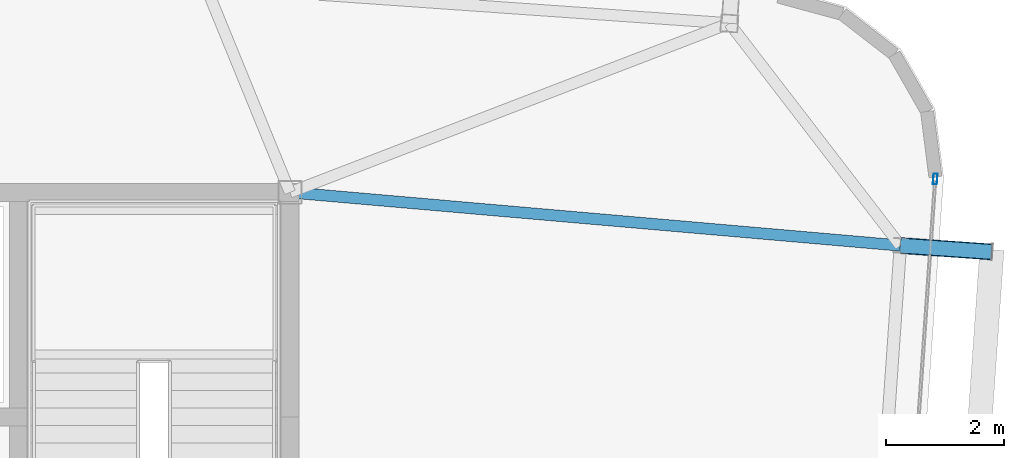
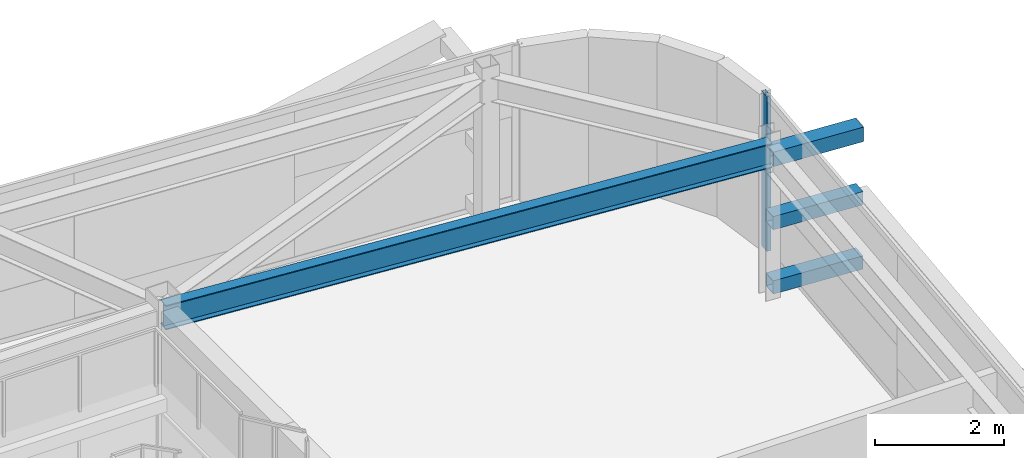
# One storey, part 18 of 39: 4 members, 1 beam, 1 element without a shape of its own.
"""IFC4 building model written with IfcOpenShell, lengths in metres."""

from ifc_helpers import new_model, si_unit, direction, frame, origin, origin_2d, place, context, subcontext, project, spatial, hollow_rectangle, i_section, extrude, source, transform, mapped, material, layer, layer_set, material_profile, profile_set, type_object, element, aggregate, save


model = new_model("IFC4")

# Units and contexts
model_context = context("Model", 3, precision=1e-05, world=origin(), true_north=direction((0.0, 1.0)))
body_context = subcontext(model_context, "Body", "Model", "MODEL_VIEW")
ifc_project = project(units=[si_unit("LENGTHUNIT", "METRE"), si_unit("AREAUNIT", "SQUARE_METRE"), si_unit("VOLUMEUNIT", "CUBIC_METRE"), si_unit("PLANEANGLEUNIT", "RADIAN"), si_unit("MASSUNIT", "GRAM", prefix="KILO")], contexts=[model_context])

# Site, building, storey
site_placement = place(None, origin())
site = spatial("IfcSite", under=ifc_project, at=site_placement, CompositionType="ELEMENT")
building_placement = place(site_placement, origin())
building = spatial("IfcBuilding", under=site, at=building_placement, Name="Taldren Reach Tower", CompositionType="ELEMENT")
storey_placement = place(building_placement, frame((0.0, 0.0, 158.199951171875)))
storey = spatial("IfcBuildingStorey", under=building, at=storey_placement, Name="L48", CompositionType="ELEMENT", Elevation=158.199951171875)

# Members
ifc_material_1 = material(Name="Steel Gr 450 (C450L0)", Category="steel")
ifc_material_profile_1 = material_profile(ifc_material_1, hollow_rectangle(XDim=0.27490234375, YDim=0.27490234375, WallThickness=0.00927734375, at=origin_2d()), Name="275x275x9.3SHS")
ifc_profile_set_1 = profile_set([ifc_material_profile_1], Name="Steel Gr 450 (C450L0)")
member_type_1 = type_object("IfcMemberType", Name="MB-TIE273", PredefinedType="STRUT", material=ifc_profile_set_1)
shared_shape_1 = source(origin(), body_context, "Body", "SweptSolid", [
    extrude(hollow_rectangle(XDim=0.27490234375, YDim=0.27490234375, WallThickness=0.00927734375, at=origin_2d()), origin(), (0.0, 0.0, 1.0), 1.550048828125),
])
member_1_placement = place(storey_placement, frame((61.3310546875, 31.1005859375, 2.650146484375), z_axis=(0.99756313426, -0.06976957191, 0.0), x_axis=(0.06976957191, 0.99756313426, 0.0)))
element("IfcMember", 1, at=member_1_placement, inside=storey, type_object=member_type_1, Name="Exoskeleton diaphragm tie strut B3-E3 L48", PredefinedType="STRUT", context=body_context, shape_type="MappedRepresentation", body=[
    mapped(shared_shape_1, transform((0.0, 0.0, 0.0), scale=1.0)),
])
ifc_material_2 = material(Name="Steel Gr 350 (C350L0)", Category="steel")
ifc_material_profile_2 = material_profile(ifc_material_2, hollow_rectangle(XDim=0.25, YDim=0.25, WallThickness=0.010009765625, at=origin_2d()), Name="250x250x10.0SHS")
ifc_profile_set_2 = profile_set([ifc_material_profile_2], Name="Steel Gr 350 (C350L0)")
member_type_2 = type_object("IfcMemberType", Name="MB-POST250", PredefinedType="POST", material=ifc_profile_set_2)
shared_shape_2 = source(origin(), body_context, "Body", "SweptSolid", [
    extrude(hollow_rectangle(XDim=0.25, YDim=0.25, WallThickness=0.010009765625, at=origin_2d()), origin(), (0.0, 0.0, 1.0), 1.550048828125),
])
for number, where, z_axis, x_axis, name in (
    (2, (61.3310546875, 31.1005859375, 0.219970703125), (0.99756313426, -0.06976957191, 0.0), (0.06976957191, 0.99756313426, 0.0), "Exoskeleton base diaphragm tie strut B3-E3 L48"),
    (3, (61.3310546875, 31.1005859375, 1.43505859375), (0.99756313426, -0.06976957191, 0.0), (0.06976957191, 0.99756313426, 0.0), "Exoskeleton mid-tier diaphragm tie B3-E3 L48"),
):
    element("IfcMember", number, at=place(storey_placement, frame(where, z_axis=z_axis, x_axis=x_axis)), inside=storey, type_object=member_type_2, Name=name, PredefinedType="POST", context=body_context, shape_type="MappedRepresentation", body=[
        mapped(shared_shape_2, transform((0.0, 0.0, 0.0), scale=1.0)),
    ])

# Beam
ifc_material_3 = material(Name="Steel Gr 350 (350PLUS)", Category="steel")
ifc_material_profile_3 = material_profile(ifc_material_3, i_section(OverallWidth=0.19091796875, OverallDepth=0.4599609375, WebThickness=0.010009765625, FlangeThickness=0.01611328125, at=origin_2d()), Name="460UB82.1")
ifc_profile_set_3 = profile_set([ifc_material_profile_3], Name="Steel Gr 350 (350PLUS)")
beam_type = type_object("IfcBeamType", Name="BM-UB460A", PredefinedType="BEAM", material=ifc_profile_set_3)
shared_shape_3 = source(origin(), body_context, "Body", "SweptSolid", [
    extrude(i_section(OverallWidth=0.19091796875, OverallDepth=0.4599609375, WebThickness=0.010009765625, FlangeThickness=0.01611328125, at=origin_2d()), origin(), (0.0, 0.0, 1.0), 10.3701171875),
])
beam_placement = place(storey_placement, frame((51.0, 32.0, 2.699951171875), z_axis=(0.996231748992, -0.086731207186, 0.0), x_axis=(0.086731207186, 0.996231748992, 0.0)))
element("IfcBeam", 4, at=beam_placement, inside=storey, type_object=beam_type, Name="Primary floor girder B3-E3 L48", PredefinedType="BEAM", context=body_context, shape_type="MappedRepresentation", body=[
    mapped(shared_shape_3, transform((0.0, 0.0, 0.0), scale=1.0)),
])

# Curtain wall, member
ifc_material_4 = material(Name="Aluminium and Low-E Glass Unitised System", Category="aluminium")
ifc_layer = layer(ifc_material_4, 0.159912109375)
ifc_layer_set = layer_set([ifc_layer], Name="Aluminium and Low-E Glass Unitised System")
curtain_wall_type = type_object("IfcCurtainWallType", Name="CW-SYS-4", PredefinedType="NOTDEFINED", material=ifc_layer_set)
curtain_wall_placement = place(storey_placement, origin())
curtain_wall = element("IfcCurtainWall", 5, at=curtain_wall_placement, inside=storey, type_object=curtain_wall_type, Name="Unitised curtain wall CW-L48-E", PredefinedType="NOTDEFINED")
ifc_material_5 = material(Name="Anodised Aluminium 6063-T6", Category="aluminium")
ifc_material_profile_4 = material_profile(ifc_material_5, hollow_rectangle(XDim=0.070068359375, YDim=0.179931640625, WallThickness=0.00390625, at=origin_2d()), Name="ALU-180x70x4RHS")
ifc_profile_set_4 = profile_set([ifc_material_profile_4], Name="Anodised Aluminium 6063-T6")
member_type_3 = type_object("IfcMemberType", Name="CW-MUL-180", PredefinedType="MULLION", material=ifc_profile_set_4)
shared_shape_4 = source(origin(), body_context, "Body", "SweptSolid", [
    extrude(hollow_rectangle(XDim=0.070068359375, YDim=0.179931640625, WallThickness=0.00390625, at=origin_2d()), origin(), (0.0, 0.0, 1.0), 2.929931640625),
])
member_2_placement = place(storey_placement, frame((61.921142578125, 32.22705078125, 0.0), z_axis=(0.0, 0.0, 1.0), x_axis=(-0.997564052812, 0.069756437251, 0.0)))
member_2 = element("IfcMember", 6, at=member_2_placement, type_object=member_type_3, Name="CW-4 mullion 3", PredefinedType="MULLION", context=body_context, shape_type="MappedRepresentation", body=[
    mapped(shared_shape_4, transform((0.0, 0.0, 0.0), scale=1.0)),
])
aggregate(curtain_wall, [member_2])

save(model, "model.ifc")
